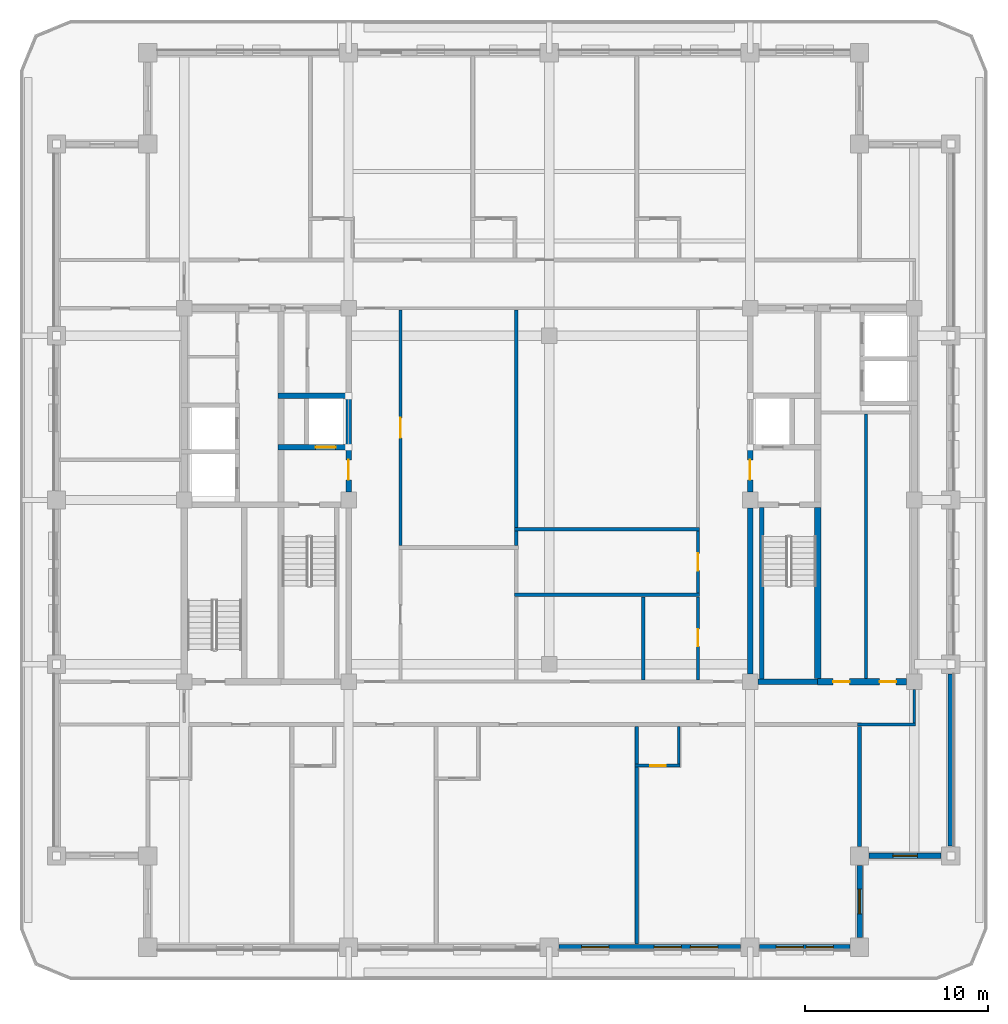
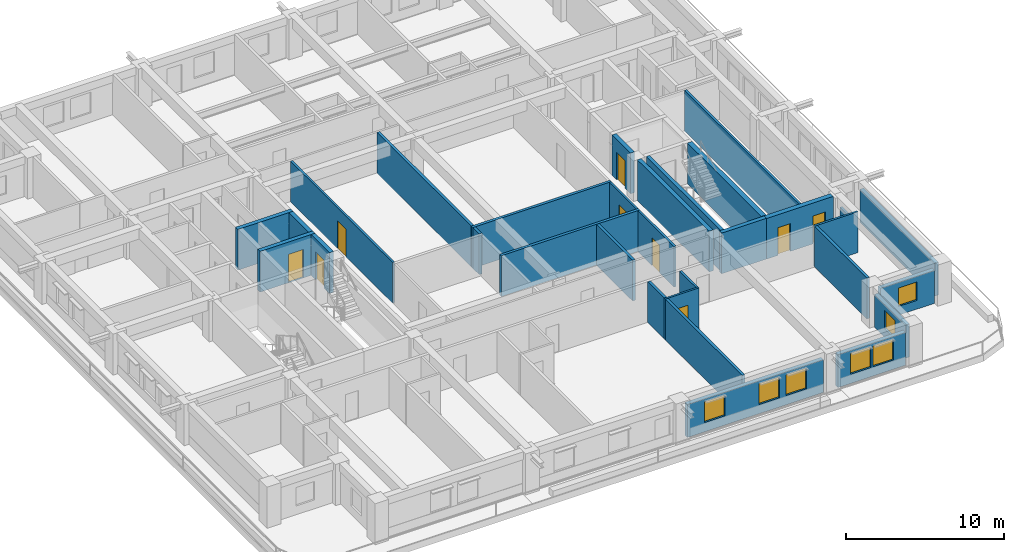
# One storey, part 4 of 14: 31 walls, 9 doors, 7 windows, 16 openings.
"""IFC4 building model written with IfcOpenShell, lengths in metres."""

import ifcopenshell
import ifcopenshell.guid

model = None  # the IFC model being written
_history = None  # IfcOwnerHistory: only IFC2X3 demands one
_inside = {}  # id of a spatial element -> (the spatial element, [elements in it])
_under = {}  # id of a project, library or spatial element -> (it, [spatial elements below it])
_declared = {}  # id of a project -> (the project, [libraries it declares])
_typed = {}  # id of a type object -> (the type object, [elements of that type])
_made_of = {}  # id of a material, layer set ... -> (it, [elements and type objects made of it])


def new_model(schema):
    """Start an empty IFC model of exactly this schema.

    Asked for "IFC4X3", IfcOpenShell would pick the latest addendum, in which some entities
    have other attributes; the version numbers below select the first issue.
    IFC2X3 requires an IfcOwnerHistory on every rooted entity: one is made here for all.
    """
    global model, _history
    if schema == "IFC4X3":
        model = ifcopenshell.file(schema_version=(4, 3, 0, 0))
    else:
        model = ifcopenshell.file(schema=schema)
    _inside.clear()
    _under.clear()
    _declared.clear()
    _typed.clear()
    _made_of.clear()
    _history = None
    if model.schema == "IFC2X3":
        org = make("IfcOrganization", Name="unknown")
        user = make(
            "IfcPersonAndOrganization",
            ThePerson=make("IfcPerson", FamilyName="unknown"),
            TheOrganization=org,
        )
        app = make(
            "IfcApplication",
            ApplicationDeveloper=org,
            Version="unknown",
            ApplicationFullName="unknown",
            ApplicationIdentifier="unknown",
        )
        _history = make(
            "IfcOwnerHistory",
            OwningUser=user,
            OwningApplication=app,
            ChangeAction="ADDED",
            CreationDate=0,
        )
    return model


def make(cls, **values):
    """One entity of the class cls with the attributes given. An attribute that is None is left unset."""
    return model.create_entity(
        cls, **{name: value for name, value in values.items() if value is not None}
    )


def rooted(cls, **values):
    """An entity with a GlobalId (a new one), such as an element, a storey or a relation."""
    return make(cls, GlobalId=ifcopenshell.guid.new(), OwnerHistory=_history, **values)


def si_unit(unit_type, name, prefix=None):
    """IfcSIUnit, for example si_unit("LENGTHUNIT", "METRE", prefix="MILLI")."""
    return make("IfcSIUnit", UnitType=unit_type, Prefix=prefix, Name=name)


def assignment(units):
    """IfcUnitAssignment: the units of a project."""
    return None if units is None else make("IfcUnitAssignment", Units=units)


def point(xyz):
    """IfcCartesianPoint."""
    return None if xyz is None else make("IfcCartesianPoint", Coordinates=xyz)


def direction(xyz):
    """IfcDirection."""
    return None if xyz is None else make("IfcDirection", DirectionRatios=xyz)


def frame(location, z_axis=None, x_axis=None):
    """IfcAxis2Placement3D, a coordinate frame: its origin and axes. An axis left out is left unset."""
    return make(
        "IfcAxis2Placement3D",
        Location=point(location),
        Axis=direction(z_axis),
        RefDirection=direction(x_axis),
    )


def frame_2d(location, x_axis=None):
    """IfcAxis2Placement2D, a coordinate frame in the plane: its origin and x axis."""
    return make(
        "IfcAxis2Placement2D", Location=point(location), RefDirection=direction(x_axis)
    )


def origin():
    """The frame at (0, 0, 0) with its axes left unset."""
    return frame((0.0, 0.0, 0.0))


def place(relative_to, where):
    """IfcLocalPlacement: puts the frame where relative to a parent placement (None: the world)."""
    return make(
        "IfcLocalPlacement", PlacementRelTo=relative_to, RelativePlacement=where
    )


def context(
    kind, dimensions, precision=None, world=None, true_north=None, identifier=None
):
    """IfcGeometricRepresentationContext, for example the 3D "Model" context."""
    return make(
        "IfcGeometricRepresentationContext",
        ContextIdentifier=identifier,
        ContextType=kind,
        CoordinateSpaceDimension=dimensions,
        Precision=precision,
        WorldCoordinateSystem=world,
        TrueNorth=true_north,
    )


def subcontext(parent, identifier, kind, view, scale=None):
    """IfcGeometricRepresentationSubContext, for example "Body" below "Model"."""
    return make(
        "IfcGeometricRepresentationSubContext",
        ContextIdentifier=identifier,
        ContextType=kind,
        ParentContext=parent,
        TargetScale=scale,
        TargetView=view,
    )


def project(units=None, contexts=None):
    """IfcProject with its units and contexts."""
    return rooted(
        "IfcProject",
        Name="project",
        RepresentationContexts=contexts,
        UnitsInContext=assignment(units),
    )


def spatial(cls, under=None, at=None, **own):
    """A site, building, storey or space (cls), placed at a placement, below another one or the project."""
    s = rooted(cls, ObjectPlacement=at, **own)
    if under is not None:
        _under.setdefault(under.id(), (under, []))[1].append(s)
    return s


def profile(cls, at=None, kind="AREA", **sizes):
    """A parametric profile (cls). Its sizes go by their IFC names, for example OverallWidth=200.0."""
    return make(cls, ProfileType=kind, Position=at, **sizes)


def rectangle(**sizes):
    """IfcRectangleProfileDef."""
    return profile("IfcRectangleProfileDef", **sizes)


def extrude(swept, where, along, depth):
    """IfcExtrudedAreaSolid: the profile swept, set in the frame where, extruded along a direction by depth."""
    return make(
        "IfcExtrudedAreaSolid",
        SweptArea=swept,
        Position=where,
        ExtrudedDirection=direction(along),
        Depth=depth,
    )


def shape(context_of_items, identifier, shape_type, items):
    """IfcShapeRepresentation: the items that make up one representation, for example the "Body"."""
    return make(
        "IfcShapeRepresentation",
        ContextOfItems=context_of_items,
        RepresentationIdentifier=identifier,
        RepresentationType=shape_type,
        Items=items,
    )


def material(Name=None, Category=None):
    """IfcMaterial."""
    return make("IfcMaterial", Name=Name, Category=Category)


def layer(
    of_material, thickness, ventilated=None, Name=None, Category=None, Priority=None
):
    """IfcMaterialLayer: one layer of a wall or slab, of a material (None: an air gap)."""
    return make(
        "IfcMaterialLayer",
        Material=of_material,
        LayerThickness=thickness,
        IsVentilated=ventilated,
        Name=Name,
        Category=Category,
        Priority=Priority,
    )


def layer_set(layers, Name=None):
    """IfcMaterialLayerSet."""
    return make("IfcMaterialLayerSet", MaterialLayers=layers, LayerSetName=Name)


def made_of(thing, what):
    """Note that an element or type object is made of a material, layer set ...; save() writes the relation."""
    if what is not None:
        _made_of.setdefault(what.id(), (what, []))[1].append(thing)
    return thing


def type_object(cls, material=None, **own):
    """A type object (cls), such as IfcWallType, which elements share."""
    return made_of(rooted(cls, **own), material)


def element(
    cls,
    number,
    at=None,
    inside=None,
    cuts=None,
    type_object=None,
    material=None,
    context=None,
    identifier="Body",
    shape_type=None,
    held_by="IfcProductDefinitionShape",
    body=None,
    shapes=None,
    **own,
):
    """One element of the class cls, such as IfcWall. Its Tag is "e" and its number.

    at: its placement. inside: the storey or other place that contains it. cuts: it is an
    opening in that element (IfcRelVoidsElement). A single representation is given by context,
    identifier, shape_type and body (its items); several are given by shapes. held_by: the class
    of the entity that holds the representations. save() writes the other relations.
    """
    e = rooted(cls, Tag="e%d" % number, ObjectPlacement=at, **own)
    if body is not None:
        shapes = [shape(context, identifier, shape_type, body)]
    if shapes is not None:
        e.Representation = make(held_by, Representations=shapes)
    if inside is not None:
        _inside.setdefault(inside.id(), (inside, []))[1].append(e)
    if cuts is not None:
        rooted(
            "IfcRelVoidsElement", RelatingBuildingElement=cuts, RelatedOpeningElement=e
        )
    if type_object is not None:
        _typed.setdefault(type_object.id(), (type_object, []))[1].append(e)
    return made_of(e, material)


def fill(opening, filler):
    """IfcRelFillsElement: the door or window that sits in an opening."""
    return rooted(
        "IfcRelFillsElement",
        RelatingOpeningElement=opening,
        RelatedBuildingElement=filler,
    )


def aggregate(whole, parts):
    """IfcRelAggregates: a whole, such as a stair, and the parts it consists of."""
    return rooted("IfcRelAggregates", RelatingObject=whole, RelatedObjects=parts)


def save(model, path):
    """Write the relations noted so far, then the file.

    IfcRelAggregates (storeys below a building ...), IfcRelContainedInSpatialStructure (elements
    in a storey), IfcRelDefinesByType, IfcRelAssociatesMaterial and IfcRelDeclares: one each for
    every whole, place, type object, material and project.
    """
    for whole, parts in _under.values():
        aggregate(whole, parts)
    for where, things in _inside.values():
        rooted(
            "IfcRelContainedInSpatialStructure",
            RelatedElements=things,
            RelatingStructure=where,
        )
    for kind, things in _typed.values():
        rooted("IfcRelDefinesByType", RelatedObjects=things, RelatingType=kind)
    for what, things in _made_of.values():
        rooted("IfcRelAssociatesMaterial", RelatedObjects=things, RelatingMaterial=what)
    for by, libraries in _declared.values():
        rooted("IfcRelDeclares", RelatingContext=by, RelatedDefinitions=libraries)
    model.write(path)


model = new_model("IFC4")

# Units and contexts
model_context = context("Model", 3, precision=1e-05, world=origin(), true_north=direction((0.0, 1.0)))
body_context = subcontext(model_context, "Body", "Model", "MODEL_VIEW")
ifc_project = project(units=[si_unit("LENGTHUNIT", "METRE"), si_unit("AREAUNIT", "SQUARE_METRE"), si_unit("VOLUMEUNIT", "CUBIC_METRE"), si_unit("PLANEANGLEUNIT", "RADIAN"), si_unit("MASSUNIT", "GRAM", prefix="KILO")], contexts=[model_context])

# Site, building, storey
site_placement = place(None, origin())
site = spatial("IfcSite", under=ifc_project, at=site_placement, CompositionType="ELEMENT")
building_placement = place(site_placement, origin())
building = spatial("IfcBuilding", under=site, at=building_placement, Name="Zulmaris Gate Convention Tower", CompositionType="ELEMENT")
storey_placement = place(building_placement, frame((0.0, 0.0, 211.85986328125)))
storey = spatial("IfcBuildingStorey", under=building, at=storey_placement, Name="L55", CompositionType="ELEMENT", Elevation=211.85986328125)

# Walls
ifc_material_1 = material(Name="Concrete C50/60", Category="concrete")
ifc_layer_1 = layer(ifc_material_1, 0.25, Name="Concrete C50/60")
ifc_layer_set_1 = layer_set([ifc_layer_1], Name="Concrete C50/60")
wall_type_1 = type_object("IfcWallType", Name="CORE-250", PredefinedType="SOLIDWALL", material=ifc_layer_set_1)
wall_1_placement = place(storey_placement, frame((11.64990234375, -9.798095703125, 0.0), z_axis=(0.0, 0.0, 1.0), x_axis=(0.0, 1.0, 0.0)))
element("IfcWall", 1, at=wall_1_placement, inside=storey, type_object=wall_type_1, Name="WL-L55-063", PredefinedType="SOLIDWALL", context=body_context, shape_type="SweptSolid", body=[
    extrude(rectangle(XDim=9.39599609375, YDim=0.25, at=frame_2d((4.697998046875, 0.0))), origin(), (0.0, 0.0, 1.0), 3.150146484375),
])
ifc_layer_2 = layer(ifc_material_1, 0.300048828125, Name="Concrete C50/60")
ifc_layer_set_2 = layer_set([ifc_layer_2], Name="Concrete C50/60")
wall_type_2 = type_object("IfcWallType", Name="CORE-300", PredefinedType="SHEAR", material=ifc_layer_set_2)
wall_2_placement = place(storey_placement, frame((11.428955078125, -9.949951171875, 0.0), z_axis=(0.0, 0.0, 1.0), x_axis=(1.0, 0.0, 0.0)))
element("IfcWall", 2, at=wall_2_placement, inside=storey, type_object=wall_type_2, Name="WL-L55-003", PredefinedType="SHEAR", context=body_context, shape_type="SweptSolid", body=[
    extrude(rectangle(XDim=3.27099609375, YDim=0.300048828125, at=frame_2d((1.635498046875, 0.0))), origin(), (0.0, 0.0, 1.0), 3.150146484375),
])

# Wall, opening, door
wall_3_placement = place(storey_placement, frame((-14.875, 2.89990234375, 0.0), z_axis=(0.0, 0.0, 1.0), x_axis=(1.0, 0.0, 0.0)))
wall_3 = element("IfcWall", 3, at=wall_3_placement, inside=storey, type_object=wall_type_2, Name="WL-L55-008", PredefinedType="SHEAR", context=body_context, shape_type="SweptSolid", body=[
    extrude(rectangle(XDim=4.02490234375, YDim=0.300048828125, at=frame_2d((2.012451171875, 0.0))), origin(), (0.0, 0.0, 1.0), 3.150146484375),
])
opening_1_placement = place(wall_3_placement, frame((2.074951171875, 0.0, 0.0)))
opening_1 = element("IfcOpeningElement", 4, at=opening_1_placement, cuts=wall_3, Name="Opening D-06", PredefinedType="OPENING", context=body_context, shape_type="SweptSolid", body=[
    extrude(rectangle(XDim=1.10009765625, YDim=2.199951171875, at=frame_2d((0.550048828125, 1.10009765625))), frame((0.0, 0.16015625, 0.0), z_axis=(0.0, -1.0, 0.0), x_axis=(1.0, 0.0, 0.0)), (0.0, 0.0, 1.0), 0.320068359375),
])
ifc_material_2 = material(Name="Brushed Stainless Steel", Category="steel")
door_type_1 = type_object("IfcDoorType", Name="LD-1100", OperationType="NOTDEFINED", PredefinedType="DOOR", material=ifc_material_2)
door_1_placement = place(opening_1_placement, origin())
door_1 = element("IfcDoor", 5, at=door_1_placement, inside=storey, type_object=door_type_1, Name="L55 Lift Landing Door LF-01 03", OperationType="SLIDING_TO_LEFT", OverallHeight=2.199951171875, OverallWidth=1.10009765625, PredefinedType="DOOR", context=body_context, shape_type="SweptSolid", body=[
    extrude(rectangle(XDim=1.10009765625, YDim=2.199951171875, at=frame_2d((0.550048828125, 1.10009765625))), frame((0.0, 0.02490234375, 0.0), z_axis=(0.0, -1.0, 0.0), x_axis=(1.0, 0.0, 0.0)), (0.0, 0.0, 1.0), 0.050048828125),
])
fill(opening_1, door_1)

# Wall
wall_4_placement = place(storey_placement, frame((-14.875, 5.699951171875, 0.0), z_axis=(0.0, 0.0, 1.0), x_axis=(1.0, 0.0, 0.0)))
element("IfcWall", 6, at=wall_4_placement, inside=storey, type_object=wall_type_2, Name="WL-L55-012", PredefinedType="SHEAR", context=body_context, shape_type="SweptSolid", body=[
    extrude(rectangle(XDim=4.02490234375, YDim=0.300048828125, at=frame_2d((2.012451171875, 0.0))), origin(), (0.0, 0.0, 1.0), 3.150146484375),
])

# Wall, opening, door
wall_5_placement = place(storey_placement, frame((-11.0, 0.428955078125, 0.0), z_axis=(0.0, 0.0, 1.0), x_axis=(0.0, 1.0, 0.0)))
wall_5 = element("IfcWall", 7, at=wall_5_placement, inside=storey, type_object=wall_type_2, Name="WL-L55-056", PredefinedType="SHEAR", context=body_context, shape_type="SweptSolid", body=[
    extrude(rectangle(XDim=2.319091796875, YDim=0.300048828125, at=frame_2d((1.15966796875, 0.0))), origin(), (0.0, 0.0, 1.0), 3.150146484375),
])
opening_2_placement = place(wall_5_placement, frame((0.6708984375, 0.0, 0.0)))
opening_2 = element("IfcOpeningElement", 8, at=opening_2_placement, cuts=wall_5, Name="Opening D-08", PredefinedType="OPENING", context=body_context, shape_type="SweptSolid", body=[
    extrude(rectangle(XDim=1.10009765625, YDim=2.14990234375, at=frame_2d((0.550048828125, 1.074951171875))), frame((0.0, 0.16015625, 0.0), z_axis=(0.0, -1.0, 0.0), x_axis=(1.0, 0.0, 0.0)), (0.0, 0.0, 1.0), 0.320068359375),
])
ifc_material_3 = material(Name="Fire-Rated Steel", Category="steel")
door_type_2 = type_object("IfcDoorType", Name="DR-1100-FD", OperationType="NOTDEFINED", PredefinedType="DOOR", material=ifc_material_3)
door_2_placement = place(opening_2_placement, origin())
door_2 = element("IfcDoor", 9, at=door_2_placement, inside=storey, type_object=door_type_2, Name="L55 West Firefighting Lobby Door 02", OperationType="SINGLE_SWING_RIGHT", OverallHeight=2.14990234375, OverallWidth=1.10009765625, PredefinedType="DOOR", context=body_context, shape_type="SweptSolid", body=[
    extrude(rectangle(XDim=1.10009765625, YDim=2.14990234375, at=frame_2d((0.550048828125, 1.074951171875))), frame((0.0, 0.02490234375, 0.0), z_axis=(0.0, -1.0, 0.0), x_axis=(1.0, 0.0, 0.0)), (0.0, 0.0, 1.0), 0.050048828125),
])
fill(opening_2, door_2)

# Walls
wall_6_placement = place(storey_placement, frame((-11.0, 3.052001953125, 0.0), z_axis=(0.0, 0.0, 1.0), x_axis=(0.0, 1.0, 0.0)))
element("IfcWall", 10, at=wall_6_placement, inside=storey, type_object=wall_type_2, Name="WL-L55-057", PredefinedType="SHEAR", context=body_context, shape_type="SweptSolid", body=[
    extrude(rectangle(XDim=2.49609375, YDim=0.300048828125, at=frame_2d((1.248046875, 0.0))), origin(), (0.0, 0.0, 1.0), 3.150146484375),
])
wall_7_placement = place(storey_placement, frame((11.0, -9.52099609375, 0.0), z_axis=(0.0, 0.0, 1.0), x_axis=(0.0, 1.0, 0.0)))
element("IfcWall", 11, at=wall_7_placement, inside=storey, type_object=wall_type_2, Name="WL-L55-059", PredefinedType="SHEAR", context=body_context, shape_type="SweptSolid", body=[
    extrude(rectangle(XDim=9.092041015625, YDim=0.300048828125, at=frame_2d((4.5458984375, 0.0))), origin(), (0.0, 0.0, 1.0), 3.150146484375),
])

# Wall, opening, door
wall_8_placement = place(storey_placement, frame((11.0, 0.428955078125, 0.0), z_axis=(0.0, 0.0, 1.0), x_axis=(0.0, 1.0, 0.0)))
wall_8 = element("IfcWall", 12, at=wall_8_placement, inside=storey, type_object=wall_type_2, Name="WL-L55-060", PredefinedType="SHEAR", context=body_context, shape_type="SweptSolid", body=[
    extrude(rectangle(XDim=2.319091796875, YDim=0.300048828125, at=frame_2d((1.15966796875, 0.0))), origin(), (0.0, 0.0, 1.0), 3.150146484375),
])
opening_3_placement = place(wall_8_placement, frame((0.6708984375, 0.0, 0.0)))
opening_3 = element("IfcOpeningElement", 13, at=opening_3_placement, cuts=wall_8, Name="Opening D-08", PredefinedType="OPENING", context=body_context, shape_type="SweptSolid", body=[
    extrude(rectangle(XDim=1.10009765625, YDim=2.14990234375, at=frame_2d((0.550048828125, 1.074951171875))), frame((0.0, 0.16015625, 0.0), z_axis=(0.0, -1.0, 0.0), x_axis=(1.0, 0.0, 0.0)), (0.0, 0.0, 1.0), 0.320068359375),
])
door_3_placement = place(opening_3_placement, origin())
door_3 = element("IfcDoor", 14, at=door_3_placement, inside=storey, type_object=door_type_2, Name="L55 East Firefighting Lobby Door 05", OperationType="SINGLE_SWING_RIGHT", OverallHeight=2.14990234375, OverallWidth=1.10009765625, PredefinedType="DOOR", context=body_context, shape_type="SweptSolid", body=[
    extrude(rectangle(XDim=1.10009765625, YDim=2.14990234375, at=frame_2d((0.550048828125, 1.074951171875))), frame((0.0, 0.02490234375, 0.0), z_axis=(0.0, -1.0, 0.0), x_axis=(1.0, 0.0, 0.0)), (0.0, 0.0, 1.0), 0.050048828125),
])
fill(opening_3, door_3)

# Wall, openings, doors
ifc_material_4 = material(Name="Concrete C55/67", Category="concrete")
ifc_layer_3 = layer(ifc_material_4, 0.35009765625, Name="Concrete C55/67")
ifc_layer_set_3 = layer_set([ifc_layer_3], Name="Concrete C55/67")
wall_type_3 = type_object("IfcWallType", Name="CORE-350", PredefinedType="SHEAR", material=ifc_layer_set_3)
wall_9_placement = place(storey_placement, frame((14.699951171875, -9.949951171875, 0.0), z_axis=(0.0, 0.0, 1.0), x_axis=(1.0, 0.0, 0.0)))
wall_9 = element("IfcWall", 15, at=wall_9_placement, inside=storey, type_object=wall_type_3, Name="WL-L55-004", PredefinedType="SHEAR", context=body_context, shape_type="SweptSolid", body=[
    extrude(rectangle(XDim=4.87109375, YDim=0.35009765625, at=frame_2d((2.435546875, 0.0))), origin(), (0.0, 0.0, 1.0), 3.150146484375),
])
opening_4_placement = place(wall_9_placement, frame((0.85009765625, 0.0, 0.0)))
opening_4 = element("IfcOpeningElement", 16, at=opening_4_placement, cuts=wall_9, Name="Opening D-12", PredefinedType="OPENING", context=body_context, shape_type="SweptSolid", body=[
    extrude(rectangle(XDim=0.89990234375, YDim=2.14990234375, at=frame_2d((0.449951171875, 1.074951171875))), frame((0.0, 0.18505859375, 0.0), z_axis=(0.0, -1.0, 0.0), x_axis=(1.0, 0.0, 0.0)), (0.0, 0.0, 1.0), 0.3701171875),
])
opening_5_placement = place(wall_9_placement, frame((3.39990234375, 0.0, 0.0)))
opening_5 = element("IfcOpeningElement", 17, at=opening_5_placement, cuts=wall_9, Name="Opening D-12", PredefinedType="OPENING", context=body_context, shape_type="SweptSolid", body=[
    extrude(rectangle(XDim=0.89990234375, YDim=2.14990234375, at=frame_2d((0.449951171875, 1.074951171875))), frame((0.0, 0.18505859375, 0.0), z_axis=(0.0, -1.0, 0.0), x_axis=(1.0, 0.0, 0.0)), (0.0, 0.0, 1.0), 0.3701171875),
])
ifc_material_5 = material(Name="Fire-Rated Timber", Category="wood")
door_type_3 = type_object("IfcDoorType", Name="DR-900-FD", OperationType="NOTDEFINED", PredefinedType="DOOR", material=ifc_material_5)
door_4_placement = place(opening_4_placement, origin())
door_4 = element("IfcDoor", 18, at=door_4_placement, inside=storey, type_object=door_type_3, Name="L55 Service Pantry Door 19", OperationType="SINGLE_SWING_LEFT", OverallHeight=2.14990234375, OverallWidth=0.89990234375, PredefinedType="DOOR", context=body_context, shape_type="SweptSolid", body=[
    extrude(rectangle(XDim=0.89990234375, YDim=2.14990234375, at=frame_2d((0.449951171875, 1.074951171875))), frame((0.0, 0.02490234375, 0.0), z_axis=(0.0, -1.0, 0.0), x_axis=(1.0, 0.0, 0.0)), (0.0, 0.0, 1.0), 0.050048828125),
])
fill(opening_4, door_4)
door_5_placement = place(opening_5_placement, origin())
door_5 = element("IfcDoor", 19, at=door_5_placement, inside=storey, type_object=door_type_3, Name="L55 Linen Store Door 20", OperationType="SINGLE_SWING_RIGHT", OverallHeight=2.14990234375, OverallWidth=0.89990234375, PredefinedType="DOOR", context=body_context, shape_type="SweptSolid", body=[
    extrude(rectangle(XDim=0.89990234375, YDim=2.14990234375, at=frame_2d((0.449951171875, 1.074951171875))), frame((0.0, 0.02490234375, 0.0), z_axis=(0.0, -1.0, 0.0), x_axis=(1.0, 0.0, 0.0)), (0.0, 0.0, 1.0), 0.050048828125),
])
fill(opening_5, door_5)

# Wall
wall_10_placement = place(storey_placement, frame((14.699951171875, -9.77294921875, 0.0), z_axis=(0.0, 0.0, 1.0), x_axis=(0.0, 1.0, 0.0)))
element("IfcWall", 20, at=wall_10_placement, inside=storey, type_object=wall_type_3, Name="WL-L55-065", PredefinedType="SHEAR", context=body_context, shape_type="SweptSolid", body=[
    extrude(rectangle(XDim=9.370849609375, YDim=0.35009765625, at=frame_2d((4.685546875, 0.0))), origin(), (0.0, 0.0, 1.0), 3.150146484375),
])

# Wall, opening, door
ifc_material_6 = material(Name="Gypsum Metal Stud Partition")
ifc_layer_4 = layer(ifc_material_6, 0.14990234375, Name="Gypsum Metal Stud Partition")
ifc_layer_set_4 = layer_set([ifc_layer_4], Name="Gypsum Metal Stud Partition")
wall_type_4 = type_object("IfcWallType", Name="PART-150", PredefinedType="PARTITIONING", material=ifc_layer_set_4)
wall_11_placement = place(storey_placement, frame((4.699951171875, -14.550048828125, 0.0), z_axis=(0.0, 0.0, 1.0), x_axis=(1.0, 0.0, 0.0)))
wall_11 = element("IfcWall", 21, at=wall_11_placement, inside=storey, type_object=wall_type_4, Name="WL-L55-022", PredefinedType="PARTITIONING", context=body_context, shape_type="SweptSolid", body=[
    extrude(rectangle(XDim=2.47509765625, YDim=0.14990234375, at=frame_2d((1.237548828125, 0.0))), origin(), (0.0, 0.0, 1.0), 3.150146484375),
])
opening_6_placement = place(wall_11_placement, frame((0.824951171875, 0.0, 0.0)))
opening_6 = element("IfcOpeningElement", 22, at=opening_6_placement, cuts=wall_11, Name="Opening D-17", PredefinedType="OPENING", context=body_context, shape_type="SweptSolid", body=[
    extrude(rectangle(XDim=0.85009765625, YDim=2.10009765625, at=frame_2d((0.425048828125, 1.050048828125))), frame((0.0, 0.0849609375, 0.0), z_axis=(0.0, -1.0, 0.0), x_axis=(1.0, 0.0, 0.0)), (0.0, 0.0, 1.0), 0.169921875),
])
ifc_material_7 = material(Name="Moisture-Resistant Hardwood Timber", Category="wood")
door_type_4 = type_object("IfcDoorType", Name="DR-850", OperationType="NOTDEFINED", PredefinedType="DOOR", material=ifc_material_7)
door_6_placement = place(opening_6_placement, origin())
door_6 = element("IfcDoor", 23, at=door_6_placement, inside=storey, type_object=door_type_4, Name="L55 En-Suite Door 39", OperationType="SINGLE_SWING_LEFT", OverallHeight=2.10009765625, OverallWidth=0.85009765625, PredefinedType="DOOR", context=body_context, shape_type="SweptSolid", body=[
    extrude(rectangle(XDim=0.85009765625, YDim=2.10009765625, at=frame_2d((0.425048828125, 1.050048828125))), frame((0.0, 0.02490234375, 0.0), z_axis=(0.0, -1.0, 0.0), x_axis=(1.0, 0.0, 0.0)), (0.0, 0.0, 1.0), 0.050048828125),
])
fill(opening_6, door_6)

# Wall
wall_12_placement = place(storey_placement, frame((16.89990234375, -12.300048828125, 0.0), z_axis=(0.0, 0.0, 1.0), x_axis=(1.0, 0.0, 0.0)))
element("IfcWall", 24, at=wall_12_placement, inside=storey, type_object=wall_type_4, Name="WL-L55-025", PredefinedType="PARTITIONING", context=body_context, shape_type="SweptSolid", body=[
    extrude(rectangle(XDim=3.175048828125, YDim=0.14990234375, at=frame_2d((1.58740234375, 0.0))), origin(), (0.0, 0.0, 1.0), 3.150146484375),
])

# Wall, opening, door
wall_13_placement = place(storey_placement, frame((-8.14990234375, -2.4970703125, 0.0), z_axis=(0.0, 0.0, 1.0), x_axis=(0.0, 1.0, 0.0)))
wall_13 = element("IfcWall", 25, at=wall_13_placement, inside=storey, type_object=wall_type_4, Name="WL-L55-090", PredefinedType="PARTITIONING", context=body_context, shape_type="SweptSolid", body=[
    extrude(rectangle(XDim=12.919189453125, YDim=0.14990234375, at=frame_2d((6.45947265625, 0.0))), origin(), (0.0, 0.0, 1.0), 3.150146484375),
])
opening_7_placement = place(wall_13_placement, frame((5.89697265625, 0.0, 0.0)))
opening_7 = element("IfcOpeningElement", 26, at=opening_7_placement, cuts=wall_13, Name="Opening D-08", PredefinedType="OPENING", context=body_context, shape_type="SweptSolid", body=[
    extrude(rectangle(XDim=1.10009765625, YDim=2.14990234375, at=frame_2d((0.550048828125, 1.074951171875))), frame((0.0, 0.0849609375, 0.0), z_axis=(0.0, -1.0, 0.0), x_axis=(1.0, 0.0, 0.0)), (0.0, 0.0, 1.0), 0.169921875),
])
door_7_placement = place(opening_7_placement, origin())
door_7 = element("IfcDoor", 27, at=door_7_placement, inside=storey, type_object=door_type_2, Name="L55 Club Lounge Door 40", OperationType="SINGLE_SWING_RIGHT", OverallHeight=2.14990234375, OverallWidth=1.10009765625, PredefinedType="DOOR", context=body_context, shape_type="SweptSolid", body=[
    extrude(rectangle(XDim=1.10009765625, YDim=2.14990234375, at=frame_2d((0.550048828125, 1.074951171875))), frame((0.0, 0.02490234375, 0.0), z_axis=(0.0, -1.0, 0.0), x_axis=(1.0, 0.0, 0.0)), (0.0, 0.0, 1.0), 0.050048828125),
])
fill(opening_7, door_7)

# Wall
wall_14_placement = place(storey_placement, frame((7.10009765625, -14.471923828125, 0.0), z_axis=(0.0, 0.0, 1.0), x_axis=(0.0, 1.0, 0.0)))
element("IfcWall", 28, at=wall_14_placement, inside=storey, type_object=wall_type_4, Name="WL-L55-106", PredefinedType="PARTITIONING", context=body_context, shape_type="SweptSolid", body=[
    extrude(rectangle(XDim=2.06884765625, YDim=0.14990234375, at=frame_2d((1.034423828125, 0.0))), origin(), (0.0, 0.0, 1.0), 3.150146484375),
])

# Wall, opening, door
wall_15_placement = place(storey_placement, frame((8.14990234375, -9.8720703125, 0.0), z_axis=(0.0, 0.0, 1.0), x_axis=(0.0, 1.0, 0.0)))
wall_15 = element("IfcWall", 29, at=wall_15_placement, inside=storey, type_object=wall_type_4, Name="WL-L55-108", PredefinedType="PARTITIONING", context=body_context, shape_type="SweptSolid", body=[
    extrude(rectangle(XDim=4.569091796875, YDim=0.14990234375, at=frame_2d((2.28466796875, 0.0))), origin(), (0.0, 0.0, 1.0), 3.150146484375),
])
opening_8_placement = place(wall_15_placement, frame((1.846923828125, 0.0, 0.0)))
opening_8 = element("IfcOpeningElement", 30, at=opening_8_placement, cuts=wall_15, Name="Opening D-11", PredefinedType="OPENING", context=body_context, shape_type="SweptSolid", body=[
    extrude(rectangle(XDim=0.949951171875, YDim=2.14990234375, at=frame_2d((0.47509765625, 1.074951171875))), frame((0.0, 0.0849609375, 0.0), z_axis=(0.0, -1.0, 0.0), x_axis=(1.0, 0.0, 0.0)), (0.0, 0.0, 1.0), 0.169921875),
])
door_type_5 = type_object("IfcDoorType", Name="DR-950-FD", OperationType="NOTDEFINED", PredefinedType="DOOR", material=ifc_material_5)
door_8_placement = place(opening_8_placement, origin())
door_8 = element("IfcDoor", 31, at=door_8_placement, inside=storey, type_object=door_type_5, Name="L55 Accessible WC Door 44", OperationType="SINGLE_SWING_RIGHT", OverallHeight=2.14990234375, OverallWidth=0.949951171875, PredefinedType="DOOR", context=body_context, shape_type="SweptSolid", body=[
    extrude(rectangle(XDim=0.949951171875, YDim=2.14990234375, at=frame_2d((0.47509765625, 1.074951171875))), frame((0.0, 0.02490234375, 0.0), z_axis=(0.0, -1.0, 0.0), x_axis=(1.0, 0.0, 0.0)), (0.0, 0.0, 1.0), 0.050048828125),
])
fill(opening_8, door_8)

wall_16_placement = place(storey_placement, frame((8.14990234375, -5.096923828125, 0.0), z_axis=(0.0, 0.0, 1.0), x_axis=(0.0, 1.0, 0.0)))
wall_16 = element("IfcWall", 32, at=wall_16_placement, inside=storey, type_object=wall_type_4, Name="WL-L55-109", PredefinedType="PARTITIONING", context=body_context, shape_type="SweptSolid", body=[
    extrude(rectangle(XDim=3.39404296875, YDim=0.14990234375, at=frame_2d((1.697021484375, 0.0))), origin(), (0.0, 0.0, 1.0), 3.150146484375),
])
opening_9_placement = place(wall_16_placement, frame((1.221923828125, 0.0, 0.0)))
opening_9 = element("IfcOpeningElement", 33, at=opening_9_placement, cuts=wall_16, Name="Opening D-11", PredefinedType="OPENING", context=body_context, shape_type="SweptSolid", body=[
    extrude(rectangle(XDim=0.949951171875, YDim=2.14990234375, at=frame_2d((0.47509765625, 1.074951171875))), frame((0.0, 0.0849609375, 0.0), z_axis=(0.0, -1.0, 0.0), x_axis=(1.0, 0.0, 0.0)), (0.0, 0.0, 1.0), 0.169921875),
])
door_9_placement = place(opening_9_placement, origin())
door_9 = element("IfcDoor", 34, at=door_9_placement, inside=storey, type_object=door_type_5, Name="L55 Public WC Door 43", OperationType="SINGLE_SWING_LEFT", OverallHeight=2.14990234375, OverallWidth=0.949951171875, PredefinedType="DOOR", context=body_context, shape_type="SweptSolid", body=[
    extrude(rectangle(XDim=0.949951171875, YDim=2.14990234375, at=frame_2d((0.47509765625, 1.074951171875))), frame((0.0, 0.02490234375, 0.0), z_axis=(0.0, -1.0, 0.0), x_axis=(1.0, 0.0, 0.0)), (0.0, 0.0, 1.0), 0.050048828125),
])
fill(opening_9, door_9)

# Walls
wall_17_placement = place(storey_placement, frame((17.35009765625, -9.77197265625, 0.0), z_axis=(0.0, 0.0, 1.0), x_axis=(0.0, 1.0, 0.0)))
element("IfcWall", 35, at=wall_17_placement, inside=storey, type_object=wall_type_4, Name="WL-L55-113", PredefinedType="PARTITIONING", context=body_context, shape_type="SweptSolid", body=[
    extrude(rectangle(XDim=14.493896484375, YDim=0.14990234375, at=frame_2d((7.2470703125, 0.0))), origin(), (0.0, 0.0, 1.0), 3.150146484375),
])
wall_18_placement = place(storey_placement, frame((20.0, -12.221923828125, 0.0), z_axis=(0.0, 0.0, 1.0), x_axis=(0.0, 1.0, 0.0)))
element("IfcWall", 36, at=wall_18_placement, inside=storey, type_object=wall_type_4, Name="WL-L55-114", PredefinedType="PARTITIONING", context=body_context, shape_type="SweptSolid", body=[
    extrude(rectangle(XDim=1.8408203125, YDim=0.14990234375, at=frame_2d((0.92041015625, 0.0))), origin(), (0.0, 0.0, 1.0), 2.342041015625),
])
ifc_material_8 = material(Name="Autoclaved Aerated Concrete Block and Plasterboard", Category="concrete")
ifc_layer_5 = layer(ifc_material_8, 0.199951171875, Name="Autoclaved Aerated Concrete Block and Plasterboard")
ifc_layer_set_5 = layer_set([ifc_layer_5], Name="Autoclaved Aerated Concrete Block and Plasterboard")
wall_type_5 = type_object("IfcWallType", Name="PART-200", PredefinedType="PARTITIONING", material=ifc_layer_set_5)
for number, where, z_axis, x_axis, name in (
    (37, (-1.89990234375, -5.199951171875, 0.0), (0.0, 0.0, 1.0), (1.0, 0.0, 0.0), "WL-L55-028"),
    (38, (-1.89990234375, -1.60009765625, 0.0), (0.0, 0.0, 1.0), (1.0, 0.0, 0.0), "WL-L55-030"),
):
    element("IfcWall", number, at=place(storey_placement, frame(where, z_axis=z_axis, x_axis=x_axis)), inside=storey, type_object=wall_type_5, Name=name, PredefinedType="PARTITIONING", context=body_context, shape_type="SweptSolid", body=[
        extrude(rectangle(XDim=10.125, YDim=0.199951171875, at=frame_2d((5.0625, 0.0))), origin(), (0.0, 0.0, 1.0), 3.150146484375),
    ])
wall_19_placement = place(storey_placement, frame((-1.800048828125, -2.4970703125, 0.0), z_axis=(0.0, 0.0, 1.0), x_axis=(0.0, 1.0, 0.0)))
element("IfcWall", 39, at=wall_19_placement, inside=storey, type_object=wall_type_5, Name="WL-L55-099", PredefinedType="PARTITIONING", context=body_context, shape_type="SweptSolid", body=[
    extrude(rectangle(XDim=0.794189453125, YDim=0.199951171875, at=frame_2d((0.39697265625, 0.0))), origin(), (0.0, 0.0, 1.0), 3.150146484375),
])
wall_20_placement = place(storey_placement, frame((-1.800048828125, -1.4970703125, 0.0), z_axis=(0.0, 0.0, 1.0), x_axis=(0.0, 1.0, 0.0)))
element("IfcWall", 40, at=wall_20_placement, inside=storey, type_object=wall_type_5, Name="WL-L55-100", PredefinedType="PARTITIONING", context=body_context, shape_type="SweptSolid", body=[
    extrude(rectangle(XDim=11.919189453125, YDim=0.199951171875, at=frame_2d((5.95947265625, 0.0))), origin(), (0.0, 0.0, 1.0), 3.150146484375),
])
wall_21_placement = place(storey_placement, frame((4.800048828125, -24.3349609375, 0.0), z_axis=(0.0, 0.0, 1.0), x_axis=(0.0, 1.0, 0.0)))
element("IfcWall", 41, at=wall_21_placement, inside=storey, type_object=wall_type_5, Name="WL-L55-101", PredefinedType="PARTITIONING", context=body_context, shape_type="SweptSolid", body=[
    extrude(rectangle(XDim=9.70703125, YDim=0.199951171875, at=frame_2d((4.853515625, 0.0))), origin(), (0.0, 0.0, 1.0), 3.150146484375),
])
wall_22_placement = place(storey_placement, frame((4.800048828125, -14.471923828125, 0.0), z_axis=(0.0, 0.0, 1.0), x_axis=(0.0, 1.0, 0.0)))
element("IfcWall", 42, at=wall_22_placement, inside=storey, type_object=wall_type_5, Name="WL-L55-102", PredefinedType="PARTITIONING", context=body_context, shape_type="SweptSolid", body=[
    extrude(rectangle(XDim=2.06884765625, YDim=0.199951171875, at=frame_2d((1.034423828125, 0.0))), origin(), (0.0, 0.0, 1.0), 3.150146484375),
])
wall_23_placement = place(storey_placement, frame((5.14990234375, -9.8720703125, 0.0), z_axis=(0.0, 0.0, 1.0), x_axis=(0.0, 1.0, 0.0)))
element("IfcWall", 43, at=wall_23_placement, inside=storey, type_object=wall_type_5, Name="WL-L55-105", PredefinedType="PARTITIONING", context=body_context, shape_type="SweptSolid", body=[
    extrude(rectangle(XDim=4.569091796875, YDim=0.199951171875, at=frame_2d((2.28466796875, 0.0))), origin(), (0.0, 0.0, 1.0), 3.150146484375),
])
wall_24_placement = place(storey_placement, frame((17.0, -18.993896484375, 0.0), z_axis=(0.0, 0.0, 1.0), x_axis=(0.0, 1.0, 0.0)))
element("IfcWall", 44, at=wall_24_placement, inside=storey, type_object=wall_type_5, Name="WL-L55-111", PredefinedType="PARTITIONING", context=body_context, shape_type="SweptSolid", body=[
    extrude(rectangle(XDim=6.5908203125, YDim=0.199951171875, at=frame_2d((3.29541015625, 0.0))), origin(), (0.0, 0.0, 1.0), 3.150146484375),
])

# Wall, opening, window
ifc_material_9 = material(Name="Precast concrete C40/50", Category="concrete")
ifc_layer_6 = layer(ifc_material_9, 0.300048828125, Name="Precast concrete C40/50")
ifc_layer_set_6 = layer_set([ifc_layer_6], Name="Precast concrete C40/50")
wall_type_6 = type_object("IfcWallType", Name="PRECAST-PIER-300", PredefinedType="STANDARD", material=ifc_layer_set_6)
wall_25_placement = place(storey_placement, frame((17.0, -23.969970703125, 0.0), z_axis=(0.0, 0.0, 1.0), x_axis=(0.0, 1.0, 0.0)))
wall_25 = element("IfcWall", 45, at=wall_25_placement, inside=storey, type_object=wall_type_6, Name="EW-L55-NOTCH-SE1_0", PredefinedType="STANDARD", context=body_context, shape_type="SweptSolid", body=[
    extrude(rectangle(XDim=3.93994140625, YDim=0.300048828125, at=frame_2d((1.969970703125, 0.0))), origin(), (0.0, 0.0, 1.0), 2.542236328125),
])
opening_10_placement = place(wall_25_placement, frame((1.294921875, 0.0, 0.679931640625)))
opening_10 = element("IfcOpeningElement", 46, at=opening_10_placement, cuts=wall_25, Name="Opening W-10", PredefinedType="OPENING", context=body_context, shape_type="SweptSolid", body=[
    extrude(rectangle(XDim=1.35009765625, YDim=1.419921875, at=frame_2d((0.675048828125, 0.7099609375))), frame((0.0, 0.16015625, 0.0), z_axis=(0.0, -1.0, 0.0), x_axis=(1.0, 0.0, 0.0)), (0.0, 0.0, 1.0), 0.320068359375),
])
ifc_material_10 = material(Name="Low-E Laminated Double Glazing in Aluminium Frame", Category="aluminium")
window_type_1 = type_object("IfcWindowType", Name="WIN-1350x2000", PartitioningType="SINGLE_PANEL", PredefinedType="WINDOW", material=ifc_material_10)
window_1_placement = place(opening_10_placement, origin())
window_1 = element("IfcWindow", 47, at=window_1_placement, inside=storey, type_object=window_type_1, Name="WN-EW-L55-NOTCH-SE1_0", OverallHeight=1.419921875, OverallWidth=1.35009765625, PartitioningType="SINGLE_PANEL", PredefinedType="WINDOW", context=body_context, shape_type="SweptSolid", body=[
    extrude(rectangle(XDim=1.35009765625, YDim=1.419921875, at=frame_2d((0.675048828125, 0.7099609375))), frame((0.0, 0.030029296875, 0.0), z_axis=(0.0, -1.0, 0.0), x_axis=(1.0, 0.0, 0.0)), (0.0, 0.0, 1.0), 0.06005859375),
])
fill(opening_10, window_1)

wall_26_placement = place(storey_placement, frame((17.530029296875, -19.5, 0.0), z_axis=(0.0, 0.0, 1.0), x_axis=(1.0, 0.0, 0.0)))
wall_26 = element("IfcWall", 48, at=wall_26_placement, inside=storey, type_object=wall_type_6, Name="EW-L55-NOTCH-SE2_0", PredefinedType="STANDARD", context=body_context, shape_type="SweptSolid", body=[
    extrude(rectangle(XDim=3.93994140625, YDim=0.300048828125, at=frame_2d((1.969970703125, 0.0))), origin(), (0.0, 0.0, 1.0), 2.542236328125),
])
opening_11_placement = place(wall_26_placement, frame((1.294921875, 0.0, 0.679931640625)))
opening_11 = element("IfcOpeningElement", 49, at=opening_11_placement, cuts=wall_26, Name="Opening W-10", PredefinedType="OPENING", context=body_context, shape_type="SweptSolid", body=[
    extrude(rectangle(XDim=1.35009765625, YDim=1.419921875, at=frame_2d((0.675048828125, 0.7099609375))), frame((0.0, 0.16015625, 0.0), z_axis=(0.0, -1.0, 0.0), x_axis=(1.0, 0.0, 0.0)), (0.0, 0.0, 1.0), 0.320068359375),
])
window_2_placement = place(opening_11_placement, origin())
window_2 = element("IfcWindow", 50, at=window_2_placement, inside=storey, type_object=window_type_1, Name="WN-EW-L55-NOTCH-SE2_0", OverallHeight=1.419921875, OverallWidth=1.35009765625, PartitioningType="SINGLE_PANEL", PredefinedType="WINDOW", context=body_context, shape_type="SweptSolid", body=[
    extrude(rectangle(XDim=1.35009765625, YDim=1.419921875, at=frame_2d((0.675048828125, 0.7099609375))), frame((0.0, 0.030029296875, 0.0), z_axis=(0.0, -1.0, 0.0), x_axis=(1.0, 0.0, 0.0)), (0.0, 0.0, 1.0), 0.06005859375),
])
fill(opening_11, window_2)

# Wall, openings, windows
wall_27_placement = place(storey_placement, frame((0.530029296875, -24.5, 0.0), z_axis=(0.0, 0.0, 1.0), x_axis=(1.0, 0.0, 0.0)))
wall_27 = element("IfcWall", 51, at=wall_27_placement, inside=storey, type_object=wall_type_6, Name="EW-L55-S-2_0", PredefinedType="STANDARD", context=body_context, shape_type="SweptSolid", body=[
    extrude(rectangle(XDim=9.93994140625, YDim=0.300048828125, at=frame_2d((4.969970703125, 0.0))), origin(), (0.0, 0.0, 1.0), 2.542236328125),
])
opening_12_placement = place(wall_27_placement, frame((1.238037109375, 0.0, 0.719970703125)))
opening_12 = element("IfcOpeningElement", 52, at=opening_12_placement, cuts=wall_27, Name="Opening W-03", PredefinedType="OPENING", context=body_context, shape_type="SweptSolid", body=[
    extrude(rectangle(XDim=1.5, YDim=1.60009765625, at=frame_2d((0.75, 0.800048828125))), frame((0.0, 0.16015625, 0.0), z_axis=(0.0, -1.0, 0.0), x_axis=(1.0, 0.0, 0.0)), (0.0, 0.0, 1.0), 0.320068359375),
])
opening_13_placement = place(wall_27_placement, frame((5.214111328125, 0.0, 0.719970703125)))
opening_13 = element("IfcOpeningElement", 53, at=opening_13_placement, cuts=wall_27, Name="Opening W-03", PredefinedType="OPENING", context=body_context, shape_type="SweptSolid", body=[
    extrude(rectangle(XDim=1.5, YDim=1.60009765625, at=frame_2d((0.75, 0.800048828125))), frame((0.0, 0.16015625, 0.0), z_axis=(0.0, -1.0, 0.0), x_axis=(1.0, 0.0, 0.0)), (0.0, 0.0, 1.0), 0.320068359375),
])
opening_14_placement = place(wall_27_placement, frame((7.201904296875, 0.0, 0.719970703125)))
opening_14 = element("IfcOpeningElement", 54, at=opening_14_placement, cuts=wall_27, Name="Opening W-03", PredefinedType="OPENING", context=body_context, shape_type="SweptSolid", body=[
    extrude(rectangle(XDim=1.5, YDim=1.60009765625, at=frame_2d((0.75, 0.800048828125))), frame((0.0, 0.16015625, 0.0), z_axis=(0.0, -1.0, 0.0), x_axis=(1.0, 0.0, 0.0)), (0.0, 0.0, 1.0), 0.320068359375),
])
window_type_2 = type_object("IfcWindowType", Name="WIN-1500x2100", PartitioningType="SINGLE_PANEL", PredefinedType="WINDOW", material=ifc_material_10)
window_3_placement = place(opening_12_placement, origin())
window_3 = element("IfcWindow", 55, at=window_3_placement, inside=storey, type_object=window_type_2, Name="WN-EW-L55-S-2_0-1", OverallHeight=1.60009765625, OverallWidth=1.5, PartitioningType="SINGLE_PANEL", PredefinedType="WINDOW", context=body_context, shape_type="SweptSolid", body=[
    extrude(rectangle(XDim=1.5, YDim=1.60009765625, at=frame_2d((0.75, 0.800048828125))), frame((0.0, 0.030029296875, 0.0), z_axis=(0.0, -1.0, 0.0), x_axis=(1.0, 0.0, 0.0)), (0.0, 0.0, 1.0), 0.06005859375),
])
fill(opening_12, window_3)
window_4_placement = place(opening_13_placement, origin())
window_4 = element("IfcWindow", 56, at=window_4_placement, inside=storey, type_object=window_type_2, Name="WN-EW-L55-S-2_0-3", OverallHeight=1.60009765625, OverallWidth=1.5, PartitioningType="SINGLE_PANEL", PredefinedType="WINDOW", context=body_context, shape_type="SweptSolid", body=[
    extrude(rectangle(XDim=1.5, YDim=1.60009765625, at=frame_2d((0.75, 0.800048828125))), frame((0.0, 0.030029296875, 0.0), z_axis=(0.0, -1.0, 0.0), x_axis=(1.0, 0.0, 0.0)), (0.0, 0.0, 1.0), 0.06005859375),
])
fill(opening_13, window_4)
window_5_placement = place(opening_14_placement, origin())
window_5 = element("IfcWindow", 57, at=window_5_placement, inside=storey, type_object=window_type_2, Name="WN-EW-L55-S-2_0-4", OverallHeight=1.60009765625, OverallWidth=1.5, PartitioningType="SINGLE_PANEL", PredefinedType="WINDOW", context=body_context, shape_type="SweptSolid", body=[
    extrude(rectangle(XDim=1.5, YDim=1.60009765625, at=frame_2d((0.75, 0.800048828125))), frame((0.0, 0.030029296875, 0.0), z_axis=(0.0, -1.0, 0.0), x_axis=(1.0, 0.0, 0.0)), (0.0, 0.0, 1.0), 0.06005859375),
])
fill(opening_14, window_5)

wall_28_placement = place(storey_placement, frame((11.530029296875, -24.5, 0.0), z_axis=(0.0, 0.0, 1.0), x_axis=(1.0, 0.0, 0.0)))
wall_28 = element("IfcWall", 58, at=wall_28_placement, inside=storey, type_object=wall_type_6, Name="EW-L55-S-3_0", PredefinedType="STANDARD", context=body_context, shape_type="SweptSolid", body=[
    extrude(rectangle(XDim=4.93994140625, YDim=0.300048828125, at=frame_2d((2.469970703125, 0.0))), origin(), (0.0, 0.0, 1.0), 2.542236328125),
])
opening_15_placement = place(wall_28_placement, frame((0.89697265625, 0.0, 0.719970703125)))
opening_15 = element("IfcOpeningElement", 59, at=opening_15_placement, cuts=wall_28, Name="Opening W-03", PredefinedType="OPENING", context=body_context, shape_type="SweptSolid", body=[
    extrude(rectangle(XDim=1.5, YDim=1.60009765625, at=frame_2d((0.75, 0.800048828125))), frame((0.0, 0.16015625, 0.0), z_axis=(0.0, -1.0, 0.0), x_axis=(1.0, 0.0, 0.0)), (0.0, 0.0, 1.0), 0.320068359375),
])
opening_16_placement = place(wall_28_placement, frame((2.54296875, 0.0, 0.719970703125)))
opening_16 = element("IfcOpeningElement", 60, at=opening_16_placement, cuts=wall_28, Name="Opening W-03", PredefinedType="OPENING", context=body_context, shape_type="SweptSolid", body=[
    extrude(rectangle(XDim=1.5, YDim=1.60009765625, at=frame_2d((0.75, 0.800048828125))), frame((0.0, 0.16015625, 0.0), z_axis=(0.0, -1.0, 0.0), x_axis=(1.0, 0.0, 0.0)), (0.0, 0.0, 1.0), 0.320068359375),
])
window_6_placement = place(opening_15_placement, origin())
window_6 = element("IfcWindow", 61, at=window_6_placement, inside=storey, type_object=window_type_2, Name="WN-EW-L55-S-3_0-1", OverallHeight=1.60009765625, OverallWidth=1.5, PartitioningType="SINGLE_PANEL", PredefinedType="WINDOW", context=body_context, shape_type="SweptSolid", body=[
    extrude(rectangle(XDim=1.5, YDim=1.60009765625, at=frame_2d((0.75, 0.800048828125))), frame((0.0, 0.030029296875, 0.0), z_axis=(0.0, -1.0, 0.0), x_axis=(1.0, 0.0, 0.0)), (0.0, 0.0, 1.0), 0.06005859375),
])
fill(opening_15, window_6)
window_7_placement = place(opening_16_placement, origin())
window_7 = element("IfcWindow", 62, at=window_7_placement, inside=storey, type_object=window_type_2, Name="WN-EW-L55-S-3_0-2", OverallHeight=1.60009765625, OverallWidth=1.5, PartitioningType="SINGLE_PANEL", PredefinedType="WINDOW", context=body_context, shape_type="SweptSolid", body=[
    extrude(rectangle(XDim=1.5, YDim=1.60009765625, at=frame_2d((0.75, 0.800048828125))), frame((0.0, 0.030029296875, 0.0), z_axis=(0.0, -1.0, 0.0), x_axis=(1.0, 0.0, 0.0)), (0.0, 0.0, 1.0), 0.06005859375),
])
fill(opening_16, window_7)

# Wall
wall_29_placement = place(storey_placement, frame((22.0, -18.969970703125, 0.0), z_axis=(0.0, 0.0, 1.0), x_axis=(0.0, 1.0, 0.0)))
element("IfcWall", 63, at=wall_29_placement, inside=storey, type_object=wall_type_6, Name="EW-L55-E-0_0", PredefinedType="STANDARD", context=body_context, shape_type="SweptSolid", body=[
    extrude(rectangle(XDim=9.43994140625, YDim=0.300048828125, at=frame_2d((4.719970703125, 0.0))), origin(), (0.0, 0.0, 1.0), 2.542236328125),
])

save(model, "model.ifc")
